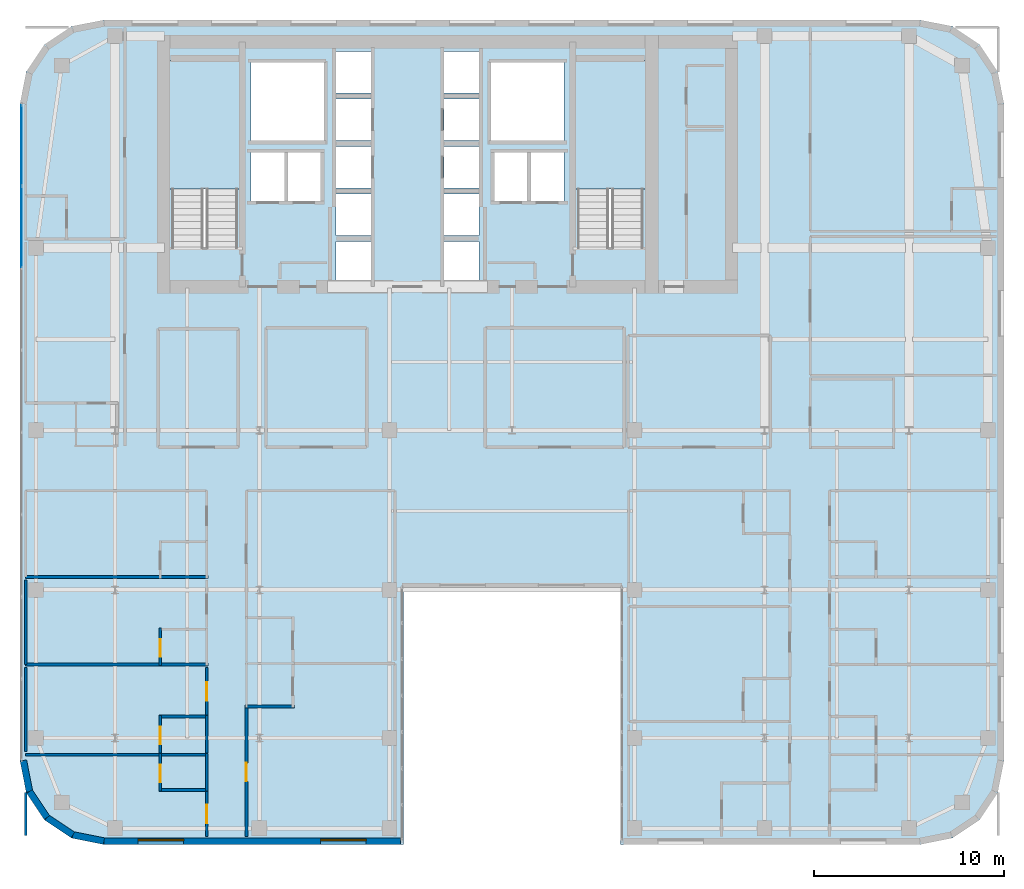
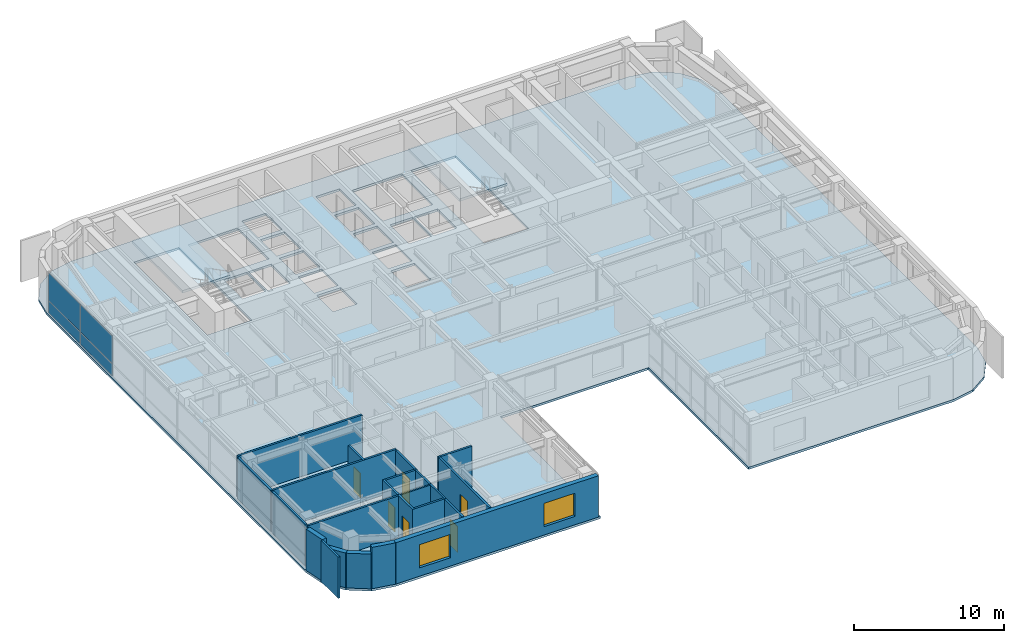
# One storey, part 17 of 24: 23 walls, 6 doors, 4 plates, 3 slabs, 2 windows, 8 openings, 3 elements without a shape of their own.
"""IFC4 building model written with IfcOpenShell, lengths in metres."""

from ifc_helpers import new_model, si_unit, direction, frame, frame_2d, origin, origin_2d, place, context, subcontext, project, spatial, polyline, rectangle, outline, extrude, source, transform, mapped, material, layer, layer_set, type_object, type_shapes, element, fill, aggregate, save


model = new_model("IFC4")

# Units and contexts
model_context = context("Model", 3, precision=1e-05, world=origin(), true_north=direction((0.0, 1.0)))
body_context = subcontext(model_context, "Body", "Model", "MODEL_VIEW")
ifc_project = project(units=[si_unit("LENGTHUNIT", "METRE"), si_unit("AREAUNIT", "SQUARE_METRE"), si_unit("VOLUMEUNIT", "CUBIC_METRE"), si_unit("PLANEANGLEUNIT", "RADIAN"), si_unit("MASSUNIT", "GRAM", prefix="KILO")], contexts=[model_context])

# Site, building, storey
site_placement = place(None, origin())
site = spatial("IfcSite", under=ifc_project, at=site_placement, CompositionType="ELEMENT")
building_placement = place(site_placement, origin())
building = spatial("IfcBuilding", under=site, at=building_placement, Name="Tolvann Quenvar Hotel", CompositionType="ELEMENT")
storey_placement = place(building_placement, frame((0.0, 0.0, 157.699951171875)))
storey = spatial("IfcBuildingStorey", under=building, at=storey_placement, Name="L41", CompositionType="ELEMENT", Elevation=157.699951171875)

# Stair, slab
ifc_material_1 = material(Name="Concrete N40 (40 MPa)", Category="concrete")
stair_type = type_object("IfcStairType", Name="STAIR", PredefinedType="HALF_TURN_STAIR", material=ifc_material_1)
stair_1_placement = place(storey_placement, origin())
stair_1 = element("IfcStair", 1, at=stair_1_placement, inside=storey, type_object=stair_type, Name="L41 ST-C1", PredefinedType="HALF_TURN_STAIR")
ifc_layer_1 = layer(ifc_material_1, 0.199951171875)
ifc_layer_set_1 = layer_set([ifc_layer_1], Name="Concrete N40 (40 MPa)")
slab_type_1 = type_object("IfcSlabType", Name="SLAB_LANDING", PredefinedType="LANDING", material=ifc_layer_set_1)
slab_1_placement = place(storey_placement, frame((0.0, 0.0, 1.574951171875)))
slab_1 = element("IfcSlab", 2, at=slab_1_placement, type_object=slab_type_1, Name="ST-C1 landing 1", PredefinedType="LANDING", context=body_context, shape_type="SweptSolid", body=[
    extrude(outline(polyline([(14.179931640625, 37.10498046875), (14.179931640625, 43.8798828125), (10.469970703125, 43.8798828125), (10.469970703125, 37.10498046875), (14.179931640625, 37.10498046875)])), origin(), (0.0, 0.0, 1.0), 0.2001953125),
])
aggregate(stair_1, [slab_1])

stair_2_placement = place(storey_placement, origin())
stair_2 = element("IfcStair", 3, at=stair_2_placement, inside=storey, type_object=stair_type, Name="L41 ST-C2", PredefinedType="HALF_TURN_STAIR")
slab_2_placement = place(storey_placement, frame((0.0, 0.0, 1.574951171875)))
slab_2 = element("IfcSlab", 4, at=slab_2_placement, type_object=slab_type_1, Name="ST-C2 landing 1", PredefinedType="LANDING", context=body_context, shape_type="SweptSolid", body=[
    extrude(outline(polyline([(35.530029296875, 37.10498046875), (35.530029296875, 43.8798828125), (31.820068359375, 43.8798828125), (31.820068359375, 37.10498046875), (35.530029296875, 37.10498046875)])), origin(), (0.0, 0.0, 1.0), 0.2001953125),
])
aggregate(stair_2, [slab_2])

# Slab
ifc_layer_2 = layer(ifc_material_1, 0.179931640625)
ifc_layer_set_2 = layer_set([ifc_layer_2], Name="Concrete N40 (40 MPa)")
slab_type_2 = type_object("IfcSlabType", Name="SLAB_TWR_180", PredefinedType="FLOOR", material=ifc_layer_set_2)
slab_3_placement = place(storey_placement, frame((0.0, 0.0, -0.179931640625)))
element("IfcSlab", 5, at=slab_3_placement, inside=storey, type_object=slab_type_2, Name="Level L41 Structural Floor Slab", PredefinedType="FLOOR", context=body_context, shape_type="SweptSolid", body=[
    extrude(outline(polyline([(2.60009765625, 7.0), (2.934814453125, 5.316162109375), (3.888671875, 3.888671875), (5.316162109375, 2.934814453125), (7.0, 2.60009765625), (22.800048828125, 2.60009765625), (22.800048828125, 16.0), (34.199951171875, 16.0), (34.199951171875, 2.60009765625), (50.0, 2.60009765625), (51.683837890625, 2.934814453125), (53.111328125, 3.888671875), (54.065185546875, 5.316162109375), (54.39990234375, 7.0), (54.39990234375, 41.60009765625), (54.065185546875, 43.28369140625), (53.111328125, 44.711181640625), (51.683837890625, 45.6650390625), (50.0, 46.0), (7.0, 46.0), (5.316162109375, 45.6650390625), (3.888671875, 44.711181640625), (2.934814453125, 43.28369140625), (2.60009765625, 41.60009765625), (2.60009765625, 7.0)]), holes=[polyline([(31.949951171875, 34.02490234375), (31.949951171875, 43.800048828125), (35.39990234375, 43.800048828125), (35.39990234375, 34.02490234375), (31.949951171875, 34.02490234375)]), polyline([(29.449951171875, 39.02001953125), (31.25, 39.02001953125), (31.25, 36.47998046875), (29.449951171875, 36.47998046875), (29.449951171875, 39.02001953125)]), polyline([(31.25, 43.75), (31.25, 39.64990234375), (27.39990234375, 39.64990234375), (27.39990234375, 43.75), (31.25, 43.75)]), polyline([(27.574951171875, 39.02001953125), (29.324951171875, 39.02001953125), (29.324951171875, 36.47998046875), (27.574951171875, 36.47998046875), (27.574951171875, 39.02001953125)]), polyline([(26.77001953125, 44.340087890625), (26.77001953125, 42.159912109375), (24.929931640625, 42.159912109375), (24.929931640625, 44.340087890625), (26.77001953125, 44.340087890625)]), polyline([(24.929931640625, 41.840087890625), (26.77001953125, 41.840087890625), (26.77001953125, 39.659912109375), (24.929931640625, 39.659912109375), (24.929931640625, 41.840087890625)]), polyline([(24.929931640625, 39.340087890625), (26.77001953125, 39.340087890625), (26.77001953125, 37.159912109375), (24.929931640625, 37.159912109375), (24.929931640625, 39.340087890625)]), polyline([(24.929931640625, 36.840087890625), (26.77001953125, 36.840087890625), (26.77001953125, 34.659912109375), (24.929931640625, 34.659912109375), (24.929931640625, 36.840087890625)]), polyline([(24.929931640625, 34.340087890625), (26.77001953125, 34.340087890625), (26.77001953125, 32.159912109375), (24.929931640625, 32.159912109375), (24.929931640625, 34.340087890625)]), polyline([(21.070068359375, 44.340087890625), (21.070068359375, 42.159912109375), (19.22998046875, 42.159912109375), (19.22998046875, 44.340087890625), (21.070068359375, 44.340087890625)]), polyline([(19.22998046875, 41.840087890625), (21.070068359375, 41.840087890625), (21.070068359375, 39.659912109375), (19.22998046875, 39.659912109375), (19.22998046875, 41.840087890625)]), polyline([(19.22998046875, 39.340087890625), (21.070068359375, 39.340087890625), (21.070068359375, 37.159912109375), (19.22998046875, 37.159912109375), (19.22998046875, 39.340087890625)]), polyline([(19.22998046875, 36.840087890625), (21.070068359375, 36.840087890625), (21.070068359375, 34.659912109375), (19.22998046875, 34.659912109375), (19.22998046875, 36.840087890625)]), polyline([(19.22998046875, 34.340087890625), (21.070068359375, 34.340087890625), (21.070068359375, 32.159912109375), (19.22998046875, 32.159912109375), (19.22998046875, 34.340087890625)]), polyline([(18.60009765625, 43.75), (18.60009765625, 39.64990234375), (14.75, 39.64990234375), (14.75, 43.75), (18.60009765625, 43.75)]), polyline([(16.675048828125, 39.02001953125), (18.425048828125, 39.02001953125), (18.425048828125, 36.47998046875), (16.675048828125, 36.47998046875), (16.675048828125, 39.02001953125)]), polyline([(14.75, 39.02001953125), (16.550048828125, 39.02001953125), (16.550048828125, 36.47998046875), (14.75, 36.47998046875), (14.75, 39.02001953125)]), polyline([(10.60009765625, 34.02490234375), (10.60009765625, 43.800048828125), (14.050048828125, 43.800048828125), (14.050048828125, 34.02490234375), (10.60009765625, 34.02490234375)])]), origin(), (0.0, 0.0, 1.0), 0.179931640625),
])

# Curtain wall, plates
ifc_material_2 = material(Name="Thermally broken anodised architectural aluminium 6063-T6 and laminated low-E glass", Category="aluminium")
ifc_layer_3 = layer(ifc_material_2, 0.179931640625)
ifc_layer_set_3 = layer_set([ifc_layer_3], Name="Thermally broken anodised architectural aluminium 6063-T6 and laminated low-E glass")
curtain_wall_type = type_object("IfcCurtainWallType", Name="CW_SYS_BAND_04", PredefinedType="USERDEFINED", material=ifc_layer_set_3)
curtain_wall_placement = place(storey_placement, origin())
curtain_wall = element("IfcCurtainWall", 6, at=curtain_wall_placement, inside=storey, type_object=curtain_wall_type, Name="Curtain Wall CW-BAND-04 (CWR-L41-E23)", ObjectType="UNITISED CURTAIN WALL", PredefinedType="USERDEFINED")
ifc_material_3 = material(Name="Low-iron laminated double glazing with solar-control coating", Category="glass")
ifc_layer_4 = layer(ifc_material_3, 0.028076171875)
ifc_layer_set_4 = layer_set([ifc_layer_4], Name="Low-iron laminated double glazing with solar-control coating")
plate_type = type_object("IfcPlateType", Name="CW_PAN_VISION_28", PredefinedType="CURTAIN_PANEL", material=ifc_layer_set_4)
shared_shape_1 = source(origin(), body_context, "Body", "SweptSolid", [
    extrude(rectangle(XDim=4.2158203125, YDim=0.028076171875, at=origin_2d()), origin(), (0.0, 0.0, 1.0), 0.9599609375),
])
plate_1_placement = place(storey_placement, frame((2.68994140625, 39.405029296875, 0.06005859375), z_axis=(0.0, 0.0, 1.0), x_axis=(0.0, -1.0, 0.0)))
plate_1 = element("IfcPlate", 7, at=plate_1_placement, type_object=plate_type, Name="CW-BAND-04 panel 1.1", PredefinedType="CURTAIN_PANEL", context=body_context, shape_type="MappedRepresentation", body=[
    mapped(shared_shape_1, transform((0.0, 0.0, 0.0), x_axis=(1.0, 0.0, 0.0), y_axis=(0.0, 1.0, 0.0), z_axis=(0.0, 0.0, 1.0), scale=1.0)),
])
shared_shape_2 = source(origin(), body_context, "Body", "SweptSolid", [
    extrude(rectangle(XDim=4.2158203125, YDim=0.028076171875, at=origin_2d()), origin(), (0.0, 0.0, 1.0), 2.22998046875),
])
plate_2_placement = place(storey_placement, frame((2.68994140625, 39.405029296875, 1.080078125), z_axis=(0.0, 0.0, 1.0), x_axis=(0.0, -1.0, 0.0)))
plate_2 = element("IfcPlate", 8, at=plate_2_placement, type_object=plate_type, Name="CW-BAND-04 panel 1.2", PredefinedType="CURTAIN_PANEL", context=body_context, shape_type="MappedRepresentation", body=[
    mapped(shared_shape_2, transform((0.0, 0.0, 0.0), x_axis=(1.0, 0.0, 0.0), y_axis=(0.0, 1.0, 0.0), z_axis=(0.0, 0.0, 1.0), scale=1.0)),
])
shared_shape_3 = source(origin(), body_context, "Body", "SweptSolid", [
    extrude(rectangle(XDim=4.250732421875, YDim=0.028076171875, at=origin_2d()), origin(), (0.0, 0.0, 1.0), 0.9599609375),
])
plate_3_placement = place(storey_placement, frame((2.68994140625, 35.101806640625, 0.06005859375), z_axis=(0.0, 0.0, 1.0), x_axis=(0.0, -1.0, 0.0)))
plate_3 = element("IfcPlate", 9, at=plate_3_placement, type_object=plate_type, Name="CW-BAND-04 panel 2.1", PredefinedType="CURTAIN_PANEL", context=body_context, shape_type="MappedRepresentation", body=[
    mapped(shared_shape_3, transform((0.0, 0.0, 0.0), x_axis=(1.0, 0.0, 0.0), y_axis=(0.0, 1.0, 0.0), z_axis=(0.0, 0.0, 1.0), scale=1.0)),
])
shared_shape_4 = source(origin(), body_context, "Body", "SweptSolid", [
    extrude(rectangle(XDim=4.250732421875, YDim=0.028076171875, at=origin_2d()), origin(), (0.0, 0.0, 1.0), 2.22998046875),
])
type_shapes(plate_type, [shared_shape_1, shared_shape_2, shared_shape_3, shared_shape_4])
plate_4_placement = place(storey_placement, frame((2.68994140625, 35.101806640625, 1.080078125), z_axis=(0.0, 0.0, 1.0), x_axis=(0.0, -1.0, 0.0)))
plate_4 = element("IfcPlate", 10, at=plate_4_placement, type_object=plate_type, Name="CW-BAND-04 panel 2.2", PredefinedType="CURTAIN_PANEL", context=body_context, shape_type="MappedRepresentation", body=[
    mapped(shared_shape_4, transform((0.0, 0.0, 0.0), x_axis=(1.0, 0.0, 0.0), y_axis=(0.0, 1.0, 0.0), z_axis=(0.0, 0.0, 1.0), scale=1.0)),
])
aggregate(curtain_wall, [plate_1, plate_2, plate_3, plate_4])

# Walls
ifc_material_4 = material(Name="Kiln-fired red and buff architectural clay brickwork and terracotta masonry", Category="masonry")
ifc_layer_5 = layer(ifc_material_4, 0.35009765625)
ifc_layer_set_5 = layer_set([ifc_layer_5], Name="Kiln-fired red and buff architectural clay brickwork and terracotta masonry")
wall_type_1 = type_object("IfcWallType", Name="WALL_EXT_BRICK_350", PredefinedType="SOLIDWALL", material=ifc_layer_set_5)
for number, where, z_axis, x_axis, name in (
    (11, (3.099609375, 5.384521484375, 0.0), (0.0, 0.0, 1.0), (0.555623290322, -0.831434158098, 0.0), "Exterior Chicago Brick Wall L41-E01"),
    (12, (4.014892578125, 4.014892578125, 0.0), (0.0, 0.0, 1.0), (0.831434158098, -0.555623290322, 0.0), "Exterior Chicago Brick Wall L41-E02"),
):
    element("IfcWall", number, at=place(storey_placement, frame(where, z_axis=z_axis, x_axis=x_axis)), inside=storey, type_object=wall_type_1, Name=name, PredefinedType="SOLIDWALL", context=body_context, shape_type="SweptSolid", body=[
        extrude(rectangle(XDim=1.647216796875, YDim=0.35009765625, at=frame_2d((0.82373046875, 0.0))), origin(), (0.0, 0.0, 1.0), 2.83203125),
    ])
wall_1_placement = place(storey_placement, frame((5.384521484375, 3.099609375, 0.0), z_axis=(0.0, 0.0, 1.0), x_axis=(0.980788844421, -0.195072403631, 0.0)))
element("IfcWall", 13, at=wall_1_placement, inside=storey, type_object=wall_type_1, Name="Exterior Chicago Brick Wall L41-E03", PredefinedType="SOLIDWALL", context=body_context, shape_type="SweptSolid", body=[
    extrude(rectangle(XDim=1.66455078125, YDim=0.35009765625, at=frame_2d((0.832275390625, 0.0))), origin(), (0.0, 0.0, 1.0), 3.3701171875),
])

# Wall, openings, windows
wall_2_placement = place(storey_placement, frame((7.01708984375, 2.77490234375, 0.0), z_axis=(0.0, 0.0, 1.0), x_axis=(1.0, 0.0, 0.0)))
wall_2 = element("IfcWall", 14, at=wall_2_placement, inside=storey, type_object=wall_type_1, Name="Exterior Chicago Brick Wall L41-E04", PredefinedType="SOLIDWALL", context=body_context, shape_type="SweptSolid", body=[
    extrude(rectangle(XDim=15.60791015625, YDim=0.35009765625, at=frame_2d((7.803955078125, 0.0))), origin(), (0.0, 0.0, 1.0), 3.3701171875),
])
opening_1_placement = place(wall_2_placement, frame((1.801025390625, 0.0, 0.679931640625)))
opening_1 = element("IfcOpeningElement", 15, at=opening_1_placement, cuts=wall_2, Name="Opening W-01", PredefinedType="OPENING", context=body_context, shape_type="SweptSolid", body=[
    extrude(rectangle(XDim=2.39990234375, YDim=1.89990234375, at=frame_2d((1.199951171875, 0.949951171875))), frame((0.0, 0.18505859375, 0.0), z_axis=(0.0, -1.0, 0.0), x_axis=(1.0, 0.0, 0.0)), (0.0, 0.0, 1.0), 0.3701171875),
])
opening_2_placement = place(wall_2_placement, frame((11.406982421875, 0.0, 0.679931640625)))
opening_2 = element("IfcOpeningElement", 16, at=opening_2_placement, cuts=wall_2, Name="Opening W-01", PredefinedType="OPENING", context=body_context, shape_type="SweptSolid", body=[
    extrude(rectangle(XDim=2.39990234375, YDim=1.89990234375, at=frame_2d((1.199951171875, 0.949951171875))), frame((0.0, 0.18505859375, 0.0), z_axis=(0.0, -1.0, 0.0), x_axis=(1.0, 0.0, 0.0)), (0.0, 0.0, 1.0), 0.3701171875),
])
ifc_material_5 = material(Name="Thermally broken bronze-anodised aluminium frame with double low-E glazing", Category="aluminium")
window_type = type_object("IfcWindowType", Name="WIN_CHI_2400x2050", PartitioningType="TRIPLE_PANEL_HORIZONTAL", PredefinedType="WINDOW", material=ifc_material_5)
shared_shape_5 = source(origin(), body_context, "Body", "SweptSolid", [
    extrude(rectangle(XDim=2.39990234375, YDim=1.89990234375, at=frame_2d((1.199951171875, 0.949951171875))), frame((0.0, 0.090087890625, 0.0), z_axis=(0.0, -1.0, 0.0), x_axis=(1.0, 0.0, 0.0)), (0.0, 0.0, 1.0), 0.06005859375),
])
type_shapes(window_type, [shared_shape_5])
window_1_placement = place(opening_1_placement, origin())
window_1 = element("IfcWindow", 17, at=window_1_placement, inside=storey, type_object=window_type, Name="Chicago Window W-01 (EW-L41-E04-W01)", OverallHeight=1.89990234375, OverallWidth=2.39990234375, PartitioningType="TRIPLE_PANEL_HORIZONTAL", PredefinedType="WINDOW", context=body_context, shape_type="MappedRepresentation", body=[
    mapped(shared_shape_5, transform((0.0, 0.0, 0.0), x_axis=(1.0, 0.0, 0.0), y_axis=(0.0, 1.0, 0.0), z_axis=(0.0, 0.0, 1.0), scale=1.0)),
])
fill(opening_1, window_1)
window_2_placement = place(opening_2_placement, origin())
window_2 = element("IfcWindow", 18, at=window_2_placement, inside=storey, type_object=window_type, Name="Chicago Window W-01 (EW-L41-E04-W02)", OverallHeight=1.89990234375, OverallWidth=2.39990234375, PartitioningType="TRIPLE_PANEL_HORIZONTAL", PredefinedType="WINDOW", context=body_context, shape_type="MappedRepresentation", body=[
    mapped(shared_shape_5, transform((0.0, 0.0, 0.0), x_axis=(1.0, 0.0, 0.0), y_axis=(0.0, 1.0, 0.0), z_axis=(0.0, 0.0, 1.0), scale=1.0)),
])
fill(opening_2, window_2)

# Walls
wall_3_placement = place(storey_placement, frame((2.77490234375, 7.01708984375, 0.0), z_axis=(0.0, 0.0, 1.0), x_axis=(0.195072403631, -0.980788844421, 0.0)))
element("IfcWall", 19, at=wall_3_placement, inside=storey, type_object=wall_type_1, Name="Exterior Chicago Brick Wall L41-E24", PredefinedType="SOLIDWALL", context=body_context, shape_type="SweptSolid", body=[
    extrude(rectangle(XDim=1.66455078125, YDim=0.35009765625, at=frame_2d((0.832275390625, 0.0))), origin(), (0.0, 0.0, 1.0), 3.3701171875),
])
ifc_material_6 = material(Name="Moisture-resistant acoustic plumbing wall assembly")
ifc_layer_6 = layer(ifc_material_6, 0.1201171875)
ifc_layer_set_6 = layer_set([ifc_layer_6], Name="Moisture-resistant acoustic plumbing wall assembly")
wall_type_2 = type_object("IfcWallType", Name="WALL_PART_BATH_120", PredefinedType="PLUMBINGWALL", material=ifc_layer_set_6)
wall_4_placement = place(storey_placement, frame((9.909912109375, 7.320068359375, 0.0), z_axis=(0.0, 0.0, 1.0), x_axis=(1.0, 0.0, 0.0)))
element("IfcWall", 20, at=wall_4_placement, inside=storey, type_object=wall_type_2, Name="Non-Rated Plumbing Partition PT-SPC-L41-ENS-WO01-N", PredefinedType="PLUMBINGWALL", context=body_context, shape_type="SweptSolid", body=[
    extrude(rectangle(XDim=2.590087890625, YDim=0.1201171875, at=frame_2d((1.294921875, 0.0))), origin(), (0.0, 0.0, 1.0), 3.3701171875),
])
for number, where, z_axis, x_axis, name in (
    (21, (12.429931640625, 5.39990234375, 0.0), (0.0, 0.0, 1.0), (0.0, 1.0, 0.0), "Non-Rated Plumbing Partition PT-SPC-L41-ENS-WO01-E"),
    (22, (12.429931640625, 7.409912109375, 0.0), (0.0, 0.0, 1.0), (0.0, 1.0, 0.0), "Non-Rated Plumbing Partition PT-SPC-L41-ENS-WO02-E"),
):
    element("IfcWall", number, at=place(storey_placement, frame(where, z_axis=z_axis, x_axis=x_axis)), inside=storey, type_object=wall_type_2, Name=name, PredefinedType="PLUMBINGWALL", context=body_context, shape_type="SweptSolid", body=[
        extrude(rectangle(XDim=1.989990234375, YDim=0.1201171875, at=frame_2d((0.9951171875, 0.0))), origin(), (0.0, 0.0, 1.0), 3.3701171875),
    ])

# Wall, opening, door
ifc_material_7 = material(Name="Acoustic twin-stud fire-rated gypsum plasterboard partition")
ifc_layer_7 = layer(ifc_material_7, 0.14990234375)
ifc_layer_set_7 = layer_set([ifc_layer_7], Name="Acoustic twin-stud fire-rated gypsum plasterboard partition")
wall_type_3 = type_object("IfcWallType", Name="WALL_PART_SUITE_150", PredefinedType="PARTITIONING", material=ifc_layer_set_7)
wall_5_placement = place(storey_placement, frame((9.97998046875, 5.39990234375, 0.0), z_axis=(0.0, 0.0, 1.0), x_axis=(0.0, 1.0, 0.0)))
wall_5 = element("IfcWall", 23, at=wall_5_placement, inside=storey, type_object=wall_type_3, Name="Interior Partition PT-SPC-L41-ENS-WO01-ENT", PredefinedType="PARTITIONING", context=body_context, shape_type="SweptSolid", body=[
    extrude(rectangle(XDim=1.989990234375, YDim=0.14990234375, at=frame_2d((0.9951171875, 0.0))), origin(), (0.0, 0.0, 1.0), 3.3701171875),
])
opening_3_placement = place(wall_5_placement, frame((0.465087890625, 0.0, 0.0)))
opening_3 = element("IfcOpeningElement", 24, at=opening_3_placement, cuts=wall_5, Name="Opening WD-01", PredefinedType="OPENING", context=body_context, shape_type="SweptSolid", body=[
    extrude(rectangle(XDim=0.919921875, YDim=2.010009765625, at=frame_2d((0.4599609375, 1.0048828125))), frame((0.0, 0.0849609375, 0.0), z_axis=(0.0, -1.0, 0.0), x_axis=(1.0, 0.0, 0.0)), (0.0, 0.0, 1.0), 0.169921875),
])
ifc_material_8 = material(Name="Solid-core American oak acoustic fire door leaf in steel frame", Category="steel")
door_type_1 = type_object("IfcDoorType", Name="DOOR_WC_920", OperationType="NOTDEFINED", PredefinedType="DOOR", material=ifc_material_8)
shared_shape_6 = source(origin(), body_context, "Body", "SweptSolid", [
    extrude(rectangle(XDim=0.919921875, YDim=2.010009765625, at=frame_2d((0.4599609375, 1.0048828125))), frame((0.0, 0.02490234375, 0.0), z_axis=(0.0, -1.0, 0.0), x_axis=(1.0, 0.0, 0.0)), (0.0, 0.0, 1.0), 0.050048828125),
])
type_shapes(door_type_1, [shared_shape_6])
door_1_placement = place(opening_3_placement, origin())
door_1 = element("IfcDoor", 25, at=door_1_placement, inside=storey, type_object=door_type_1, Name="Interior Door DOOR-SPC-L41-ENS-WO01", OperationType="SINGLE_SWING_LEFT", OverallHeight=2.010009765625, OverallWidth=0.919921875, PredefinedType="DOOR", context=body_context, shape_type="MappedRepresentation", body=[
    mapped(shared_shape_6, transform((0.0, 0.0, 0.0), x_axis=(1.0, 0.0, 0.0), y_axis=(0.0, 1.0, 0.0), z_axis=(0.0, 0.0, 1.0), scale=1.0)),
])
fill(opening_3, door_1)

# Wall
wall_6_placement = place(storey_placement, frame((9.909912109375, 5.469970703125, 0.0), z_axis=(0.0, 0.0, 1.0), x_axis=(1.0, 0.0, 0.0)))
element("IfcWall", 26, at=wall_6_placement, inside=storey, type_object=wall_type_3, Name="Interior Partition PT-SPC-L41-ENS-WO01-S", PredefinedType="PARTITIONING", context=body_context, shape_type="SweptSolid", body=[
    extrude(rectangle(XDim=2.590087890625, YDim=0.14990234375, at=frame_2d((1.294921875, 0.0))), origin(), (0.0, 0.0, 1.0), 3.3701171875),
])

# Wall, opening, door
wall_7_placement = place(storey_placement, frame((9.97998046875, 7.409912109375, 0.0), z_axis=(0.0, 0.0, 1.0), x_axis=(0.0, 1.0, 0.0)))
wall_7 = element("IfcWall", 27, at=wall_7_placement, inside=storey, type_object=wall_type_3, Name="Interior Partition PT-SPC-L41-ENS-WO02-ENT", PredefinedType="PARTITIONING", context=body_context, shape_type="SweptSolid", body=[
    extrude(rectangle(XDim=1.989990234375, YDim=0.14990234375, at=frame_2d((0.9951171875, 0.0))), origin(), (0.0, 0.0, 1.0), 3.3701171875),
])
opening_4_placement = place(wall_7_placement, frame((0.465087890625, 0.0, 0.0)))
opening_4 = element("IfcOpeningElement", 28, at=opening_4_placement, cuts=wall_7, Name="Opening WD-01", PredefinedType="OPENING", context=body_context, shape_type="SweptSolid", body=[
    extrude(rectangle(XDim=0.919921875, YDim=2.010009765625, at=frame_2d((0.4599609375, 1.0048828125))), frame((0.0, 0.0849609375, 0.0), z_axis=(0.0, -1.0, 0.0), x_axis=(1.0, 0.0, 0.0)), (0.0, 0.0, 1.0), 0.169921875),
])
door_2_placement = place(opening_4_placement, origin())
door_2 = element("IfcDoor", 29, at=door_2_placement, inside=storey, type_object=door_type_1, Name="Interior Door DOOR-SPC-L41-ENS-WO02", OperationType="SINGLE_SWING_RIGHT", OverallHeight=2.010009765625, OverallWidth=0.919921875, PredefinedType="DOOR", context=body_context, shape_type="MappedRepresentation", body=[
    mapped(shared_shape_6, transform((0.0, 0.0, 0.0), x_axis=(1.0, 0.0, 0.0), y_axis=(0.0, 1.0, 0.0), z_axis=(0.0, 0.0, 1.0), scale=1.0)),
])
fill(opening_4, door_2)

# Wall
wall_8_placement = place(storey_placement, frame((9.909912109375, 9.330078125, 0.0), z_axis=(0.0, 0.0, 1.0), x_axis=(1.0, 0.0, 0.0)))
element("IfcWall", 30, at=wall_8_placement, inside=storey, type_object=wall_type_3, Name="Interior Partition PT-SPC-L41-ENS-WO02-N", PredefinedType="PARTITIONING", context=body_context, shape_type="SweptSolid", body=[
    extrude(rectangle(XDim=2.590087890625, YDim=0.14990234375, at=frame_2d((1.294921875, 0.0))), origin(), (0.0, 0.0, 1.0), 3.3701171875),
])

# Wall, opening, door
wall_9_placement = place(storey_placement, frame((9.97998046875, 12.010009765625, 0.0), z_axis=(0.0, 0.0, 1.0), x_axis=(0.0, 1.0, 0.0)))
wall_9 = element("IfcWall", 31, at=wall_9_placement, inside=storey, type_object=wall_type_3, Name="Interior Partition PT-SPC-L41-ENS-WO03-ENT", PredefinedType="PARTITIONING", context=body_context, shape_type="SweptSolid", body=[
    extrude(rectangle(XDim=1.989990234375, YDim=0.14990234375, at=frame_2d((0.9951171875, 0.0))), origin(), (0.0, 0.0, 1.0), 3.3701171875),
])
opening_5_placement = place(wall_9_placement, frame((0.465087890625, 0.0, 0.0)))
opening_5 = element("IfcOpeningElement", 32, at=opening_5_placement, cuts=wall_9, Name="Opening WD-01", PredefinedType="OPENING", context=body_context, shape_type="SweptSolid", body=[
    extrude(rectangle(XDim=0.919921875, YDim=2.010009765625, at=frame_2d((0.4599609375, 1.0048828125))), frame((0.0, 0.0849609375, 0.0), z_axis=(0.0, -1.0, 0.0), x_axis=(1.0, 0.0, 0.0)), (0.0, 0.0, 1.0), 0.169921875),
])
door_3_placement = place(opening_5_placement, origin())
door_3 = element("IfcDoor", 33, at=door_3_placement, inside=storey, type_object=door_type_1, Name="Interior Door DOOR-SPC-L41-ENS-WO03", OperationType="SINGLE_SWING_LEFT", OverallHeight=2.010009765625, OverallWidth=0.919921875, PredefinedType="DOOR", context=body_context, shape_type="MappedRepresentation", body=[
    mapped(shared_shape_6, transform((0.0, 0.0, 0.0), x_axis=(1.0, 0.0, 0.0), y_axis=(0.0, 1.0, 0.0), z_axis=(0.0, 0.0, 1.0), scale=1.0)),
])
fill(opening_5, door_3)

# Walls
for number, where, z_axis, x_axis, name in (
    (34, (2.89990234375, 12.080078125, 0.0), (0.0, 0.0, 1.0), (1.0, 0.0, 0.0), "Interior Partition PT-SPC-L41-ENS-WO03-S"),
    (35, (2.89990234375, 16.679931640625, 0.0), (0.0, 0.0, 1.0), (1.0, 0.0, 0.0), "Interior Partition PT-SPC-L41-ENS-WO04-S"),
):
    element("IfcWall", number, at=place(storey_placement, frame(where, z_axis=z_axis, x_axis=x_axis)), inside=storey, type_object=wall_type_3, Name=name, PredefinedType="PARTITIONING", context=body_context, shape_type="SweptSolid", body=[
        extrude(rectangle(XDim=9.60009765625, YDim=0.14990234375, at=frame_2d((4.800048828125, 0.0))), origin(), (0.0, 0.0, 1.0), 3.3701171875),
    ])
wall_10_placement = place(storey_placement, frame((14.449951171875, 9.8701171875, 0.0), z_axis=(0.0, 0.0, 1.0), x_axis=(1.0, 0.0, 0.0)))
element("IfcWall", 36, at=wall_10_placement, inside=storey, type_object=wall_type_3, Name="Interior Partition PT-SPC-L41-ENS-WI01-S", PredefinedType="PARTITIONING", context=body_context, shape_type="SweptSolid", body=[
    extrude(rectangle(XDim=2.590087890625, YDim=0.14990234375, at=frame_2d((1.294921875, 0.0))), origin(), (0.0, 0.0, 1.0), 3.3701171875),
])

# Wall, opening, door
wall_11_placement = place(storey_placement, frame((12.429931640625, 3.0048828125, 0.0), z_axis=(0.0, 0.0, 1.0), x_axis=(0.0, 1.0, 0.0)))
wall_11 = element("IfcWall", 37, at=wall_11_placement, inside=storey, type_object=wall_type_3, Name="Interior Partition PT-SPC-L41-RM-WO01-ENT", PredefinedType="PARTITIONING", context=body_context, shape_type="SweptSolid", body=[
    extrude(rectangle(XDim=2.385009765625, YDim=0.14990234375, at=frame_2d((1.1923828125, 0.0))), origin(), (0.0, 0.0, 1.0), 3.3701171875),
])
opening_6_placement = place(wall_11_placement, frame((0.7099609375, 0.0, 0.0)))
opening_6 = element("IfcOpeningElement", 38, at=opening_6_placement, cuts=wall_11, Name="Opening SD-01", PredefinedType="OPENING", context=body_context, shape_type="SweptSolid", body=[
    extrude(rectangle(XDim=0.97998046875, YDim=2.1201171875, at=frame_2d((0.489990234375, 1.06005859375))), frame((0.0, 0.0849609375, 0.0), z_axis=(0.0, -1.0, 0.0), x_axis=(1.0, 0.0, 0.0)), (0.0, 0.0, 1.0), 0.169921875),
])
door_type_2 = type_object("IfcDoorType", Name="DOOR_SUITE_980", OperationType="NOTDEFINED", PredefinedType="DOOR", material=ifc_material_8)
shared_shape_7 = source(origin(), body_context, "Body", "SweptSolid", [
    extrude(rectangle(XDim=0.97998046875, YDim=2.1201171875, at=frame_2d((0.489990234375, 1.06005859375))), frame((0.0, 0.02490234375, 0.0), z_axis=(0.0, -1.0, 0.0), x_axis=(1.0, 0.0, 0.0)), (0.0, 0.0, 1.0), 0.050048828125),
])
type_shapes(door_type_2, [shared_shape_7])
door_4_placement = place(opening_6_placement, origin())
door_4 = element("IfcDoor", 39, at=door_4_placement, inside=storey, type_object=door_type_2, Name="Interior Door DOOR-SPC-L41-RM-WO01", OperationType="SINGLE_SWING_LEFT", OverallHeight=2.1201171875, OverallWidth=0.97998046875, PredefinedType="DOOR", context=body_context, shape_type="MappedRepresentation", body=[
    mapped(shared_shape_7, transform((0.0, 0.0, 0.0), x_axis=(1.0, 0.0, 0.0), y_axis=(0.0, 1.0, 0.0), z_axis=(0.0, 0.0, 1.0), scale=1.0)),
])
fill(opening_6, door_4)

# Walls
wall_12_placement = place(storey_placement, frame((2.89990234375, 7.320068359375, 0.0), z_axis=(0.0, 0.0, 1.0), x_axis=(1.0, 0.0, 0.0)))
element("IfcWall", 40, at=wall_12_placement, inside=storey, type_object=wall_type_3, Name="Interior Partition PT-SPC-L41-RM-WO01-E5", PredefinedType="PARTITIONING", context=body_context, shape_type="SweptSolid", body=[
    extrude(rectangle(XDim=7.06005859375, YDim=0.14990234375, at=frame_2d((3.530029296875, 0.0))), origin(), (0.0, 0.0, 1.0), 3.3701171875),
])
wall_13_placement = place(storey_placement, frame((2.89990234375, 3.080078125, 0.0), z_axis=(0.0, 0.0, 1.0), x_axis=(0.0, 1.0, 0.0)))
element("IfcWall", 41, at=wall_13_placement, inside=storey, type_object=wall_type_3, Name="Interior Partition PT-SPC-L41-RM-WO01-E6", PredefinedType="PARTITIONING", context=body_context, shape_type="SweptSolid", body=[
    extrude(rectangle(XDim=2.264892578125, YDim=0.14990234375, at=frame_2d((1.13232421875, 0.0))), origin(), (0.0, 0.0, 1.0), 3.3701171875),
])

# Wall, opening, door
wall_14_placement = place(storey_placement, frame((12.429931640625, 9.409912109375, 0.0), z_axis=(0.0, 0.0, 1.0), x_axis=(0.0, 1.0, 0.0)))
wall_14 = element("IfcWall", 42, at=wall_14_placement, inside=storey, type_object=wall_type_3, Name="Interior Partition PT-SPC-L41-RM-WO02-ENT", PredefinedType="PARTITIONING", context=body_context, shape_type="SweptSolid", body=[
    extrude(rectangle(XDim=2.510009765625, YDim=0.14990234375, at=frame_2d((1.2548828125, 0.0))), origin(), (0.0, 0.0, 1.0), 3.3701171875),
])
opening_7_placement = place(wall_14_placement, frame((0.7451171875, 0.0, 0.0)))
opening_7 = element("IfcOpeningElement", 43, at=opening_7_placement, cuts=wall_14, Name="Opening SD-01", PredefinedType="OPENING", context=body_context, shape_type="SweptSolid", body=[
    extrude(rectangle(XDim=0.97998046875, YDim=2.1201171875, at=frame_2d((0.489990234375, 1.06005859375))), frame((0.0, 0.0849609375, 0.0), z_axis=(0.0, -1.0, 0.0), x_axis=(1.0, 0.0, 0.0)), (0.0, 0.0, 1.0), 0.169921875),
])
door_5_placement = place(opening_7_placement, origin())
door_5 = element("IfcDoor", 44, at=door_5_placement, inside=storey, type_object=door_type_2, Name="Interior Door DOOR-SPC-L41-RM-WO02", OperationType="SINGLE_SWING_RIGHT", OverallHeight=2.1201171875, OverallWidth=0.97998046875, PredefinedType="DOOR", context=body_context, shape_type="MappedRepresentation", body=[
    mapped(shared_shape_7, transform((0.0, 0.0, 0.0), x_axis=(1.0, 0.0, 0.0), y_axis=(0.0, 1.0, 0.0), z_axis=(0.0, 0.0, 1.0), scale=1.0)),
])
fill(opening_7, door_5)

# Walls
for number, where, z_axis, x_axis, name in (
    (45, (2.89990234375, 7.47998046875, 0.0), (0.0, 0.0, 1.0), (0.0, 1.0, 0.0), "Interior Partition PT-SPC-L41-RM-WO02-E6"),
    (46, (2.89990234375, 12.080078125, 0.0), (0.0, 0.0, 1.0), (0.0, 1.0, 0.0), "Interior Partition PT-SPC-L41-RM-WO03-E6"),
):
    element("IfcWall", number, at=place(storey_placement, frame(where, z_axis=z_axis, x_axis=x_axis)), inside=storey, type_object=wall_type_3, Name=name, PredefinedType="PARTITIONING", context=body_context, shape_type="SweptSolid", body=[
        extrude(rectangle(XDim=4.43994140625, YDim=0.14990234375, at=frame_2d((2.219970703125, 0.0))), origin(), (0.0, 0.0, 1.0), 3.3701171875),
    ])

# Wall, opening, door
wall_15_placement = place(storey_placement, frame((14.52001953125, 3.0048828125, 0.0), z_axis=(0.0, 0.0, 1.0), x_axis=(0.0, 1.0, 0.0)))
wall_15 = element("IfcWall", 47, at=wall_15_placement, inside=storey, type_object=wall_type_3, Name="Interior Partition PT-SPC-L41-RM-WI01-ENT", PredefinedType="PARTITIONING", context=body_context, shape_type="SweptSolid", body=[
    extrude(rectangle(XDim=6.78515625, YDim=0.14990234375, at=frame_2d((3.392578125, 0.0))), origin(), (0.0, 0.0, 1.0), 3.3701171875),
])
opening_8_placement = place(wall_15_placement, frame((2.909912109375, 0.0, 0.0)))
opening_8 = element("IfcOpeningElement", 48, at=opening_8_placement, cuts=wall_15, Name="Opening SD-01", PredefinedType="OPENING", context=body_context, shape_type="SweptSolid", body=[
    extrude(rectangle(XDim=0.97998046875, YDim=2.1201171875, at=frame_2d((0.489990234375, 1.06005859375))), frame((0.0, 0.0849609375, 0.0), z_axis=(0.0, -1.0, 0.0), x_axis=(1.0, 0.0, 0.0)), (0.0, 0.0, 1.0), 0.169921875),
])
door_6_placement = place(opening_8_placement, origin())
door_6 = element("IfcDoor", 49, at=door_6_placement, inside=storey, type_object=door_type_2, Name="Interior Door DOOR-SPC-L41-RM-WI01", OperationType="SINGLE_SWING_LEFT", OverallHeight=2.1201171875, OverallWidth=0.97998046875, PredefinedType="DOOR", context=body_context, shape_type="MappedRepresentation", body=[
    mapped(shared_shape_7, transform((0.0, 0.0, 0.0), x_axis=(1.0, 0.0, 0.0), y_axis=(0.0, 1.0, 0.0), z_axis=(0.0, 0.0, 1.0), scale=1.0)),
])
fill(opening_8, door_6)

save(model, "model.ifc")
